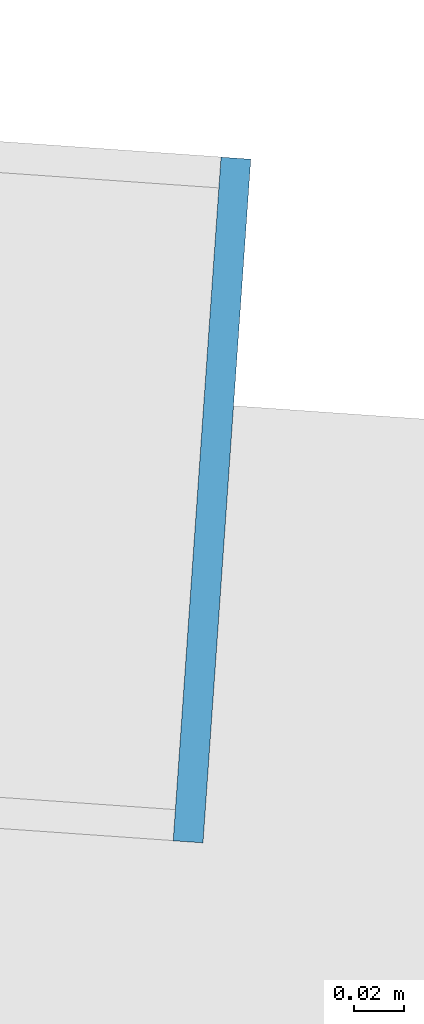
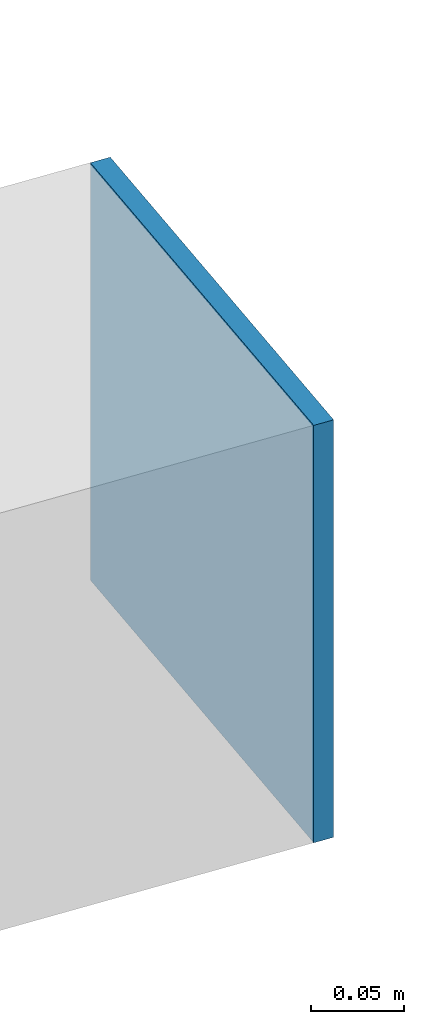
# One storey, part 31 of 39: 1 plate.
"""IFC4 building model written with IfcOpenShell, lengths in metres."""

from ifc_helpers import new_model, si_unit, direction, frame, origin, origin_2d, place, context, subcontext, project, spatial, rectangle, extrude, source, transform, mapped, material, layer, layer_set, type_object, element, save


model = new_model("IFC4")

# Units and contexts
model_context = context("Model", 3, precision=1e-05, world=origin(), true_north=direction((0.0, 1.0)))
body_context = subcontext(model_context, "Body", "Model", "MODEL_VIEW")
ifc_project = project(units=[si_unit("LENGTHUNIT", "METRE"), si_unit("AREAUNIT", "SQUARE_METRE"), si_unit("VOLUMEUNIT", "CUBIC_METRE"), si_unit("PLANEANGLEUNIT", "RADIAN"), si_unit("MASSUNIT", "GRAM", prefix="KILO")], contexts=[model_context])

# Site, building, storey
site_placement = place(None, origin())
site = spatial("IfcSite", under=ifc_project, at=site_placement, CompositionType="ELEMENT")
building_placement = place(site_placement, origin())
building = spatial("IfcBuilding", under=site, at=building_placement, Name="Taldren Reach Tower", CompositionType="ELEMENT")
storey_placement = place(building_placement, frame((0.0, 0.0, 145.60009765625)))
storey = spatial("IfcBuildingStorey", under=building, at=storey_placement, Name="L44", CompositionType="ELEMENT", Elevation=145.60009765625)

# Plate
ifc_material = material(Name="Steel Gr 450 (C450L0)", Category="steel")
ifc_layer = layer(ifc_material, 0.011962890625)
ifc_layer_set = layer_set([ifc_layer], Name="Steel Gr 450 (C450L0)")
plate_type = type_object("IfcPlateType", Name="PL-CAP-275", PredefinedType="SHEET", material=ifc_layer_set)
shared_shape = source(origin(), body_context, "Body", "SweptSolid", [
    extrude(rectangle(XDim=0.011962890625, YDim=0.27490234375, at=origin_2d()), origin(), (0.0, 0.0, 1.0), 0.27490234375),
])
plate_placement = place(storey_placement, frame((62.88330078125, 30.991943359375, 2.512451171875), z_axis=(0.0, 0.0, 1.0), x_axis=(0.99756405026, -0.069756473744, 0.0)))
element("IfcPlate", 1, at=plate_placement, inside=storey, type_object=plate_type, Name="Tie strut end cap plate B3-E3 L44", PredefinedType="SHEET", context=body_context, shape_type="MappedRepresentation", body=[
    mapped(shared_shape, transform((0.0, 0.0, 0.0), scale=1.0)),
])

save(model, "model.ifc")
